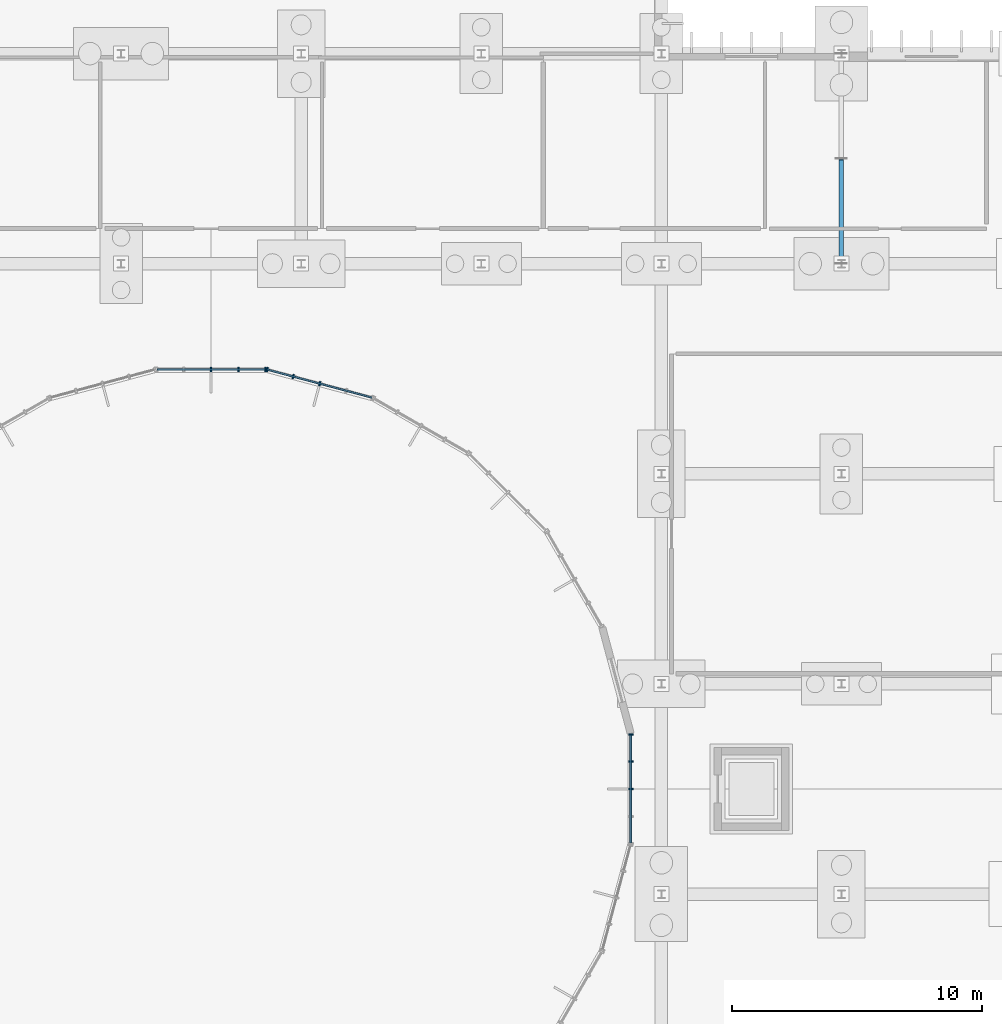
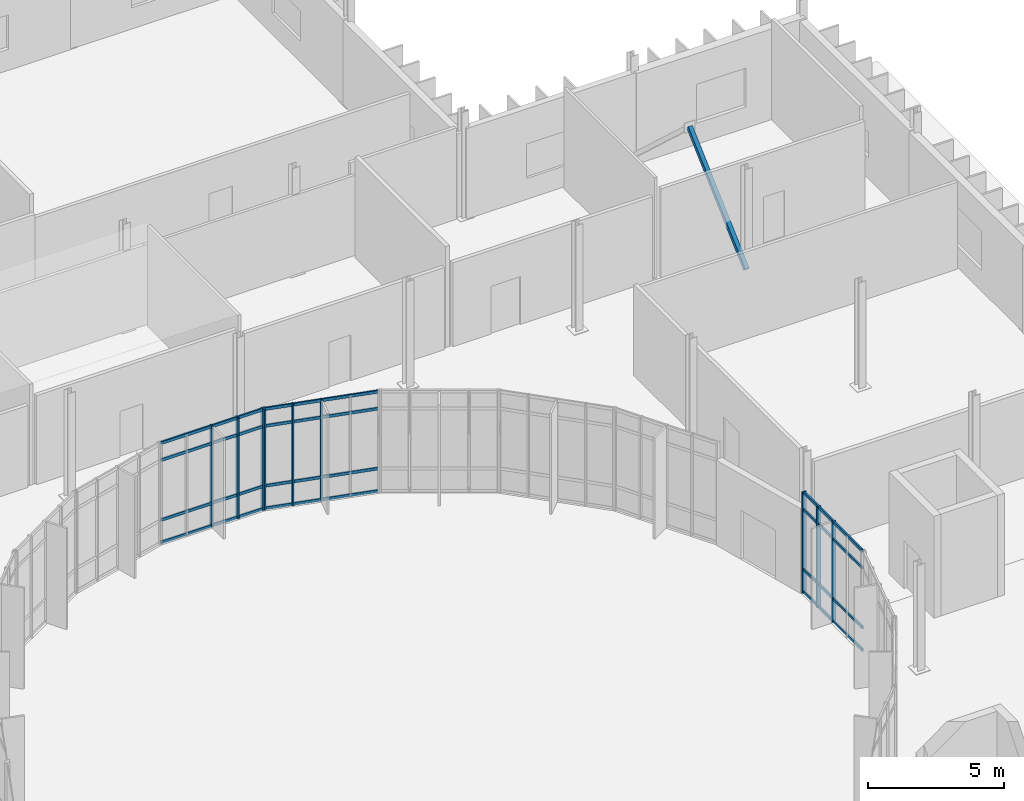
# One storey, part 52 of 118: 22 members, 3 elements without a shape of their own.
"""IFC4 building model written with IfcOpenShell, lengths in metres."""

from ifc_helpers import new_model, si_unit, direction, frame, origin, origin_2d, place, context, subcontext, project, spatial, rectangle, hollow_rectangle, extrude, material, material_profile, profile_set, type_object, element, aggregate, save


model = new_model("IFC4")

# Units and contexts
model_context = context("Model", 3, precision=1e-05, world=origin(), true_north=direction((0.0, 1.0)))
body_context = subcontext(model_context, "Body", "Model", "MODEL_VIEW")
ifc_project = project(units=[si_unit("LENGTHUNIT", "METRE"), si_unit("AREAUNIT", "SQUARE_METRE"), si_unit("VOLUMEUNIT", "CUBIC_METRE"), si_unit("PLANEANGLEUNIT", "RADIAN"), si_unit("MASSUNIT", "GRAM", prefix="KILO")], contexts=[model_context])

# Site, building, storey
site_placement = place(None, origin())
site = spatial("IfcSite", under=ifc_project, at=site_placement, CompositionType="ELEMENT")
building_placement = place(site_placement, origin())
building = spatial("IfcBuilding", under=site, at=building_placement, Name="Qelthora Terrace Specialist Clinic", CompositionType="ELEMENT")
storey_placement = place(building_placement, origin())
storey = spatial("IfcBuildingStorey", under=building, at=storey_placement, Name="L00", CompositionType="ELEMENT", Elevation=0.0)

# Curtain wall, members
ifc_material_1 = material(Name="Aluminium anodized bronze", Category="aluminium")
curtain_wall_type = type_object("IfcCurtainWallType", Name="CW-CRTE-L00", PredefinedType="NOTDEFINED", material=ifc_material_1)
curtain_wall_1_placement = place(storey_placement, origin())
curtain_wall_1 = element("IfcCurtainWall", 1, at=curtain_wall_1_placement, inside=storey, type_object=curtain_wall_type, Name="Curtain wall CW-CE-L00-05", PredefinedType="NOTDEFINED")
ifc_material_profile_1 = material_profile(ifc_material_1, rectangle(XDim=0.06494140625, YDim=0.179931640625, at=origin_2d()), Name="CWM65X180")
ifc_profile_set_1 = profile_set([ifc_material_profile_1], Name="Aluminium anodized bronze")
member_type_1 = type_object("IfcMemberType", Name="CWM-65X180", PredefinedType="MULLION", material=ifc_profile_set_1)
member_1_placement = place(storey_placement, frame((130.342041015625, 79.20458984375, 0.0), z_axis=(0.0, 0.0, 1.0), x_axis=(-0.965925660235, 0.258819664824, 0.0)))
member_1 = element("IfcMember", 2, at=member_1_placement, type_object=member_type_1, Name="CW-CE-L00-05 mullion 3", PredefinedType="MULLION", context=body_context, shape_type="SweptSolid", body=[
    extrude(rectangle(XDim=0.06494140625, YDim=0.179931640625, at=origin_2d()), origin(), (0.0, 0.0, 1.0), 4.544921875),
])
member_2_placement = place(storey_placement, frame((129.282958984375, 79.488525390625, 0.0), z_axis=(0.0, 0.0, 1.0), x_axis=(-0.965925660235, 0.258819664824, 0.0)))
member_2 = element("IfcMember", 3, at=member_2_placement, type_object=member_type_1, Name="CW-CE-L00-05 mullion 4", PredefinedType="MULLION", context=body_context, shape_type="SweptSolid", body=[
    extrude(rectangle(XDim=0.06494140625, YDim=0.179931640625, at=origin_2d()), origin(), (0.0, 0.0, 1.0), 4.544921875),
])
member_3_placement = place(storey_placement, frame((128.2431640625, 79.76708984375, 0.0), z_axis=(0.0, 0.0, 1.0), x_axis=(-0.965925660235, 0.258819664824, 0.0)))
member_3 = element("IfcMember", 4, at=member_3_placement, type_object=member_type_1, Name="CW-CE-L00-05 mullion 5", PredefinedType="MULLION", context=body_context, shape_type="SweptSolid", body=[
    extrude(rectangle(XDim=0.06494140625, YDim=0.179931640625, at=origin_2d()), origin(), (0.0, 0.0, 1.0), 4.544921875),
])

curtain_wall_2_placement = place(storey_placement, origin())
curtain_wall_2 = element("IfcCurtainWall", 5, at=curtain_wall_2_placement, inside=storey, type_object=curtain_wall_type, Name="Curtain wall CW-CE-L00-06", PredefinedType="NOTDEFINED")
member_4_placement = place(storey_placement, frame((128.1728515625, 79.7763671875, 0.0), z_axis=(0.0, 0.0, 1.0), x_axis=(-1.0, 0.0, 0.0)))
member_4 = element("IfcMember", 6, at=member_4_placement, type_object=member_type_1, Name="CW-CE-L00-06 mullion 1", PredefinedType="MULLION", context=body_context, shape_type="SweptSolid", body=[
    extrude(rectangle(XDim=0.06494140625, YDim=0.179931640625, at=origin_2d()), origin(), (0.0, 0.0, 1.0), 4.544921875),
])
member_5_placement = place(storey_placement, frame((127.096435546875, 79.7763671875, 0.0), z_axis=(0.0, 0.0, 1.0), x_axis=(-1.0, 0.0, 0.0)))
member_5 = element("IfcMember", 7, at=member_5_placement, type_object=member_type_1, Name="CW-CE-L00-06 mullion 2", PredefinedType="MULLION", context=body_context, shape_type="SweptSolid", body=[
    extrude(rectangle(XDim=0.06494140625, YDim=0.179931640625, at=origin_2d()), origin(), (0.0, 0.0, 1.0), 4.544921875),
])
member_6_placement = place(storey_placement, frame((126.0, 79.7763671875, 0.0), z_axis=(0.0, 0.0, 1.0), x_axis=(-1.0, 0.0, 0.0)))
member_6 = element("IfcMember", 8, at=member_6_placement, type_object=member_type_1, Name="CW-CE-L00-06 mullion 3", PredefinedType="MULLION", context=body_context, shape_type="SweptSolid", body=[
    extrude(rectangle(XDim=0.06494140625, YDim=0.179931640625, at=origin_2d()), origin(), (0.0, 0.0, 1.0), 4.544921875),
])

curtain_wall_3_placement = place(storey_placement, origin())
curtain_wall_3 = element("IfcCurtainWall", 9, at=curtain_wall_3_placement, inside=storey, type_object=curtain_wall_type, Name="Curtain wall CW-CE-L00-24", PredefinedType="NOTDEFINED")
member_7_placement = place(storey_placement, frame((142.7763671875, 63.0, 0.0), z_axis=(0.0, 0.0, 1.0), x_axis=(0.0, 1.0, 0.0)))
member_7 = element("IfcMember", 10, at=member_7_placement, type_object=member_type_1, Name="CW-CE-L00-24 mullion 3", PredefinedType="MULLION", context=body_context, shape_type="SweptSolid", body=[
    extrude(rectangle(XDim=0.06494140625, YDim=0.179931640625, at=origin_2d()), origin(), (0.0, 0.0, 1.0), 4.544921875),
])
member_8_placement = place(storey_placement, frame((142.7763671875, 64.096435546875, 0.0), z_axis=(0.0, 0.0, 1.0), x_axis=(0.0, 1.0, 0.0)))
member_8 = element("IfcMember", 11, at=member_8_placement, type_object=member_type_1, Name="CW-CE-L00-24 mullion 4", PredefinedType="MULLION", context=body_context, shape_type="SweptSolid", body=[
    extrude(rectangle(XDim=0.06494140625, YDim=0.179931640625, at=origin_2d()), origin(), (0.0, 0.0, 1.0), 4.544921875),
])
member_9_placement = place(storey_placement, frame((142.7763671875, 65.1728515625, 0.0), z_axis=(0.0, 0.0, 1.0), x_axis=(0.0, 1.0, 0.0)))
member_9 = element("IfcMember", 12, at=member_9_placement, type_object=member_type_1, Name="CW-CE-L00-24 mullion 5", PredefinedType="MULLION", context=body_context, shape_type="SweptSolid", body=[
    extrude(rectangle(XDim=0.06494140625, YDim=0.179931640625, at=origin_2d()), origin(), (0.0, 0.0, 1.0), 4.544921875),
])

# Member
ifc_material_profile_2 = material_profile(ifc_material_1, rectangle(XDim=0.06494140625, YDim=0.1298828125, at=origin_2d()), Name="CWT65X130")
ifc_profile_set_2 = profile_set([ifc_material_profile_2], Name="Aluminium anodized bronze")
member_type_2 = type_object("IfcMemberType", Name="CWT-65X130", PredefinedType="USERDEFINED", material=ifc_profile_set_2)
member_10_placement = place(storey_placement, frame((132.42138671875, 78.6474609375, 0.0400390625), z_axis=(-0.965933119212, 0.25879182601, 0.0), x_axis=(-0.25879182601, -0.965933119212, 0.0)))
member_10 = element("IfcMember", 13, at=member_10_placement, type_object=member_type_2, Name="CW-CE-L00-05 transom 1", ObjectType="TRANSOM", PredefinedType="USERDEFINED", context=body_context, shape_type="SweptSolid", body=[
    extrude(rectangle(XDim=0.06494140625, YDim=0.1298828125, at=origin_2d()), origin(), (0.0, 0.0, 1.0), 4.3056640625),
])

member_11_placement = place(storey_placement, frame((132.42138671875, 78.6474609375, 1.050048828125), z_axis=(-0.965933119212, 0.25879182601, 0.0), x_axis=(-0.25879182601, -0.965933119212, 0.0)))
member_11 = element("IfcMember", 14, at=member_11_placement, type_object=member_type_2, Name="CW-CE-L00-05 transom 2", ObjectType="TRANSOM", PredefinedType="USERDEFINED", context=body_context, shape_type="SweptSolid", body=[
    extrude(rectangle(XDim=0.06494140625, YDim=0.1298828125, at=origin_2d()), origin(), (0.0, 0.0, 1.0), 4.3056640625),
])

member_12_placement = place(storey_placement, frame((132.42138671875, 78.6474609375, 3.7451171875), z_axis=(-0.965933119212, 0.25879182601, 0.0), x_axis=(-0.25879182601, -0.965933119212, 0.0)))
member_12 = element("IfcMember", 15, at=member_12_placement, type_object=member_type_2, Name="CW-CE-L00-05 transom 3", ObjectType="TRANSOM", PredefinedType="USERDEFINED", context=body_context, shape_type="SweptSolid", body=[
    extrude(rectangle(XDim=0.06494140625, YDim=0.1298828125, at=origin_2d()), origin(), (0.0, 0.0, 1.0), 4.3056640625),
])

member_13_placement = place(storey_placement, frame((132.42138671875, 78.6474609375, 4.5048828125), z_axis=(-0.965933119212, 0.25879182601, 0.0), x_axis=(-0.25879182601, -0.965933119212, 0.0)))
member_13 = element("IfcMember", 16, at=member_13_placement, type_object=member_type_2, Name="CW-CE-L00-05 transom 4", ObjectType="TRANSOM", PredefinedType="USERDEFINED", context=body_context, shape_type="SweptSolid", body=[
    extrude(rectangle(XDim=0.06494140625, YDim=0.1298828125, at=origin_2d()), origin(), (0.0, 0.0, 1.0), 4.3056640625),
])

aggregate(curtain_wall_1, [member_1, member_2, member_3, member_10, member_11, member_12, member_13])

member_14_placement = place(storey_placement, frame((128.15283203125, 79.7763671875, 0.0400390625), z_axis=(-1.0, 0.0, 0.0), x_axis=(0.0, -1.0, 0.0)))
member_14 = element("IfcMember", 17, at=member_14_placement, type_object=member_type_2, Name="CW-CE-L00-06 transom 1", ObjectType="TRANSOM", PredefinedType="USERDEFINED", context=body_context, shape_type="SweptSolid", body=[
    extrude(rectangle(XDim=0.06494140625, YDim=0.1298828125, at=origin_2d()), origin(), (0.0, 0.0, 1.0), 4.3056640625),
])

member_15_placement = place(storey_placement, frame((128.15283203125, 79.7763671875, 1.050048828125), z_axis=(-1.0, 0.0, 0.0), x_axis=(0.0, -1.0, 0.0)))
member_15 = element("IfcMember", 18, at=member_15_placement, type_object=member_type_2, Name="CW-CE-L00-06 transom 2", ObjectType="TRANSOM", PredefinedType="USERDEFINED", context=body_context, shape_type="SweptSolid", body=[
    extrude(rectangle(XDim=0.06494140625, YDim=0.1298828125, at=origin_2d()), origin(), (0.0, 0.0, 1.0), 4.3056640625),
])

member_16_placement = place(storey_placement, frame((128.15283203125, 79.7763671875, 3.7451171875), z_axis=(-1.0, 0.0, 0.0), x_axis=(0.0, -1.0, 0.0)))
member_16 = element("IfcMember", 19, at=member_16_placement, type_object=member_type_2, Name="CW-CE-L00-06 transom 3", ObjectType="TRANSOM", PredefinedType="USERDEFINED", context=body_context, shape_type="SweptSolid", body=[
    extrude(rectangle(XDim=0.06494140625, YDim=0.1298828125, at=origin_2d()), origin(), (0.0, 0.0, 1.0), 4.3056640625),
])

member_17_placement = place(storey_placement, frame((128.15283203125, 79.7763671875, 4.5048828125), z_axis=(-1.0, 0.0, 0.0), x_axis=(0.0, -1.0, 0.0)))
member_17 = element("IfcMember", 20, at=member_17_placement, type_object=member_type_2, Name="CW-CE-L00-06 transom 4", ObjectType="TRANSOM", PredefinedType="USERDEFINED", context=body_context, shape_type="SweptSolid", body=[
    extrude(rectangle(XDim=0.06494140625, YDim=0.1298828125, at=origin_2d()), origin(), (0.0, 0.0, 1.0), 4.3056640625),
])

aggregate(curtain_wall_2, [member_4, member_5, member_6, member_14, member_15, member_16, member_17])

member_18_placement = place(storey_placement, frame((142.7763671875, 60.84716796875, 0.0400390625), z_axis=(0.0, 1.0, 0.0), x_axis=(-1.0, 0.0, 0.0)))
member_18 = element("IfcMember", 21, at=member_18_placement, type_object=member_type_2, Name="CW-CE-L00-24 transom 1", ObjectType="TRANSOM", PredefinedType="USERDEFINED", context=body_context, shape_type="SweptSolid", body=[
    extrude(rectangle(XDim=0.06494140625, YDim=0.1298828125, at=origin_2d()), origin(), (0.0, 0.0, 1.0), 4.3056640625),
])

member_19_placement = place(storey_placement, frame((142.7763671875, 60.84716796875, 1.050048828125), z_axis=(0.0, 1.0, 0.0), x_axis=(-1.0, 0.0, 0.0)))
member_19 = element("IfcMember", 22, at=member_19_placement, type_object=member_type_2, Name="CW-CE-L00-24 transom 2", ObjectType="TRANSOM", PredefinedType="USERDEFINED", context=body_context, shape_type="SweptSolid", body=[
    extrude(rectangle(XDim=0.06494140625, YDim=0.1298828125, at=origin_2d()), origin(), (0.0, 0.0, 1.0), 4.3056640625),
])

member_20_placement = place(storey_placement, frame((142.7763671875, 60.84716796875, 3.7451171875), z_axis=(0.0, 1.0, 0.0), x_axis=(-1.0, 0.0, 0.0)))
member_20 = element("IfcMember", 23, at=member_20_placement, type_object=member_type_2, Name="CW-CE-L00-24 transom 3", ObjectType="TRANSOM", PredefinedType="USERDEFINED", context=body_context, shape_type="SweptSolid", body=[
    extrude(rectangle(XDim=0.06494140625, YDim=0.1298828125, at=origin_2d()), origin(), (0.0, 0.0, 1.0), 4.3056640625),
])

member_21_placement = place(storey_placement, frame((142.7763671875, 60.84716796875, 4.5048828125), z_axis=(0.0, 1.0, 0.0), x_axis=(-1.0, 0.0, 0.0)))
member_21 = element("IfcMember", 24, at=member_21_placement, type_object=member_type_2, Name="CW-CE-L00-24 transom 4", ObjectType="TRANSOM", PredefinedType="USERDEFINED", context=body_context, shape_type="SweptSolid", body=[
    extrude(rectangle(XDim=0.06494140625, YDim=0.1298828125, at=origin_2d()), origin(), (0.0, 0.0, 1.0), 4.3056640625),
])

aggregate(curtain_wall_3, [member_7, member_8, member_9, member_18, member_19, member_20, member_21])

ifc_material_2 = material(Name="Steel S355", Category="steel")
ifc_material_profile_3 = material_profile(ifc_material_2, hollow_rectangle(XDim=0.179931640625, YDim=0.179931640625, WallThickness=0.010009765625, at=origin_2d()), Name="HSS180X180X10")
ifc_profile_set_3 = profile_set([ifc_material_profile_3], Name="Steel S355")
member_type_3 = type_object("IfcMemberType", Name="MEM-BRACE-HSS180", PredefinedType="BRACE", material=ifc_profile_set_3)
member_22_placement = place(storey_placement, frame((151.199951171875, 84.0, 0.179931640625), z_axis=(0.0, 0.73539317044, 0.677640675336), x_axis=(-1.0, 0.0, 0.0)))
element("IfcMember", 25, at=member_22_placement, inside=storey, type_object=member_type_3, Name="Concentric seismic chevron brace B4-L00A", PredefinedType="BRACE", context=body_context, shape_type="SweptSolid", body=[
    extrude(hollow_rectangle(XDim=0.179931640625, YDim=0.179931640625, WallThickness=0.010009765625, at=origin_2d()), origin(), (0.0, 0.0, 1.0), 5.711181640625),
])

save(model, "model.ifc")
